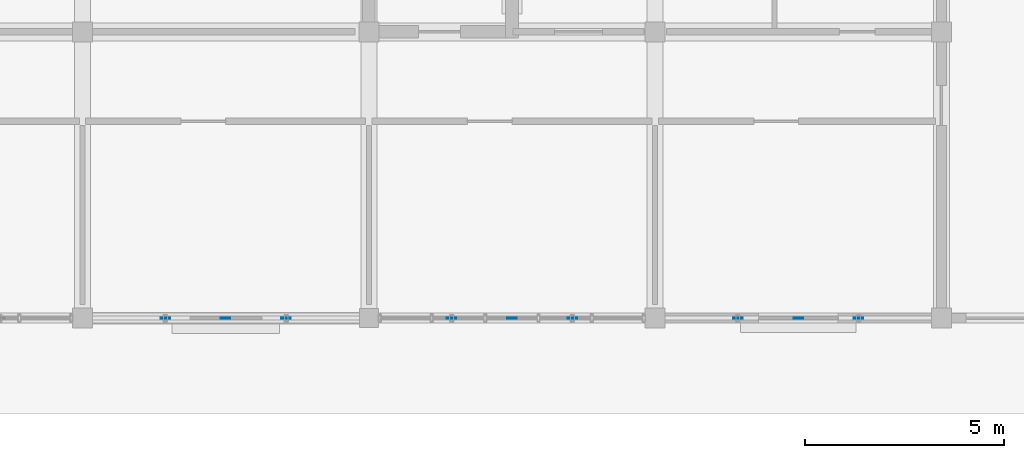
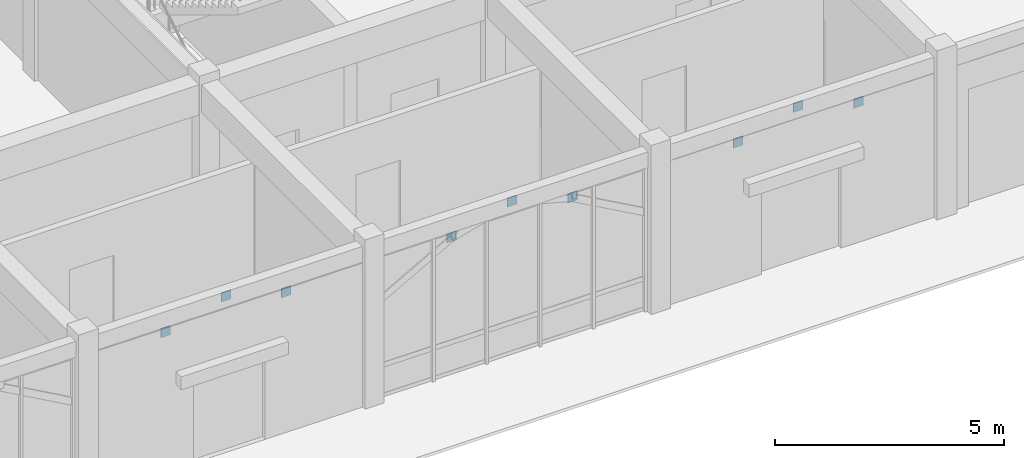
# One storey, part 72 of 138: 9 plates.
"""IFC4 building model written with IfcOpenShell, lengths in metres."""

import ifcopenshell
import ifcopenshell.guid

model = None  # the IFC model being written
_history = None  # IfcOwnerHistory: only IFC2X3 demands one
_inside = {}  # id of a spatial element -> (the spatial element, [elements in it])
_under = {}  # id of a project, library or spatial element -> (it, [spatial elements below it])
_declared = {}  # id of a project -> (the project, [libraries it declares])
_typed = {}  # id of a type object -> (the type object, [elements of that type])
_made_of = {}  # id of a material, layer set ... -> (it, [elements and type objects made of it])


def new_model(schema):
    """Start an empty IFC model of exactly this schema.

    Asked for "IFC4X3", IfcOpenShell would pick the latest addendum, in which some entities
    have other attributes; the version numbers below select the first issue.
    IFC2X3 requires an IfcOwnerHistory on every rooted entity: one is made here for all.
    """
    global model, _history
    if schema == "IFC4X3":
        model = ifcopenshell.file(schema_version=(4, 3, 0, 0))
    else:
        model = ifcopenshell.file(schema=schema)
    _inside.clear()
    _under.clear()
    _declared.clear()
    _typed.clear()
    _made_of.clear()
    _history = None
    if model.schema == "IFC2X3":
        org = make("IfcOrganization", Name="unknown")
        user = make(
            "IfcPersonAndOrganization",
            ThePerson=make("IfcPerson", FamilyName="unknown"),
            TheOrganization=org,
        )
        app = make(
            "IfcApplication",
            ApplicationDeveloper=org,
            Version="unknown",
            ApplicationFullName="unknown",
            ApplicationIdentifier="unknown",
        )
        _history = make(
            "IfcOwnerHistory",
            OwningUser=user,
            OwningApplication=app,
            ChangeAction="ADDED",
            CreationDate=0,
        )
    return model


def make(cls, **values):
    """One entity of the class cls with the attributes given. An attribute that is None is left unset."""
    return model.create_entity(
        cls, **{name: value for name, value in values.items() if value is not None}
    )


def rooted(cls, **values):
    """An entity with a GlobalId (a new one), such as an element, a storey or a relation."""
    return make(cls, GlobalId=ifcopenshell.guid.new(), OwnerHistory=_history, **values)


def si_unit(unit_type, name, prefix=None):
    """IfcSIUnit, for example si_unit("LENGTHUNIT", "METRE", prefix="MILLI")."""
    return make("IfcSIUnit", UnitType=unit_type, Prefix=prefix, Name=name)


def assignment(units):
    """IfcUnitAssignment: the units of a project."""
    return None if units is None else make("IfcUnitAssignment", Units=units)


def point(xyz):
    """IfcCartesianPoint."""
    return None if xyz is None else make("IfcCartesianPoint", Coordinates=xyz)


def direction(xyz):
    """IfcDirection."""
    return None if xyz is None else make("IfcDirection", DirectionRatios=xyz)


def frame(location, z_axis=None, x_axis=None):
    """IfcAxis2Placement3D, a coordinate frame: its origin and axes. An axis left out is left unset."""
    return make(
        "IfcAxis2Placement3D",
        Location=point(location),
        Axis=direction(z_axis),
        RefDirection=direction(x_axis),
    )


def frame_2d(location, x_axis=None):
    """IfcAxis2Placement2D, a coordinate frame in the plane: its origin and x axis."""
    return make(
        "IfcAxis2Placement2D", Location=point(location), RefDirection=direction(x_axis)
    )


def origin():
    """The frame at (0, 0, 0) with its axes left unset."""
    return frame((0.0, 0.0, 0.0))


def origin_2d():
    """The frame at (0, 0) in the plane with its x axis left unset."""
    return frame_2d((0.0, 0.0))


def place(relative_to, where):
    """IfcLocalPlacement: puts the frame where relative to a parent placement (None: the world)."""
    return make(
        "IfcLocalPlacement", PlacementRelTo=relative_to, RelativePlacement=where
    )


def context(
    kind, dimensions, precision=None, world=None, true_north=None, identifier=None
):
    """IfcGeometricRepresentationContext, for example the 3D "Model" context."""
    return make(
        "IfcGeometricRepresentationContext",
        ContextIdentifier=identifier,
        ContextType=kind,
        CoordinateSpaceDimension=dimensions,
        Precision=precision,
        WorldCoordinateSystem=world,
        TrueNorth=true_north,
    )


def subcontext(parent, identifier, kind, view, scale=None):
    """IfcGeometricRepresentationSubContext, for example "Body" below "Model"."""
    return make(
        "IfcGeometricRepresentationSubContext",
        ContextIdentifier=identifier,
        ContextType=kind,
        ParentContext=parent,
        TargetScale=scale,
        TargetView=view,
    )


def project(units=None, contexts=None):
    """IfcProject with its units and contexts."""
    return rooted(
        "IfcProject",
        Name="project",
        RepresentationContexts=contexts,
        UnitsInContext=assignment(units),
    )


def spatial(cls, under=None, at=None, **own):
    """A site, building, storey or space (cls), placed at a placement, below another one or the project."""
    s = rooted(cls, ObjectPlacement=at, **own)
    if under is not None:
        _under.setdefault(under.id(), (under, []))[1].append(s)
    return s


def profile(cls, at=None, kind="AREA", **sizes):
    """A parametric profile (cls). Its sizes go by their IFC names, for example OverallWidth=200.0."""
    return make(cls, ProfileType=kind, Position=at, **sizes)


def rectangle(**sizes):
    """IfcRectangleProfileDef."""
    return profile("IfcRectangleProfileDef", **sizes)


def extrude(swept, where, along, depth):
    """IfcExtrudedAreaSolid: the profile swept, set in the frame where, extruded along a direction by depth."""
    return make(
        "IfcExtrudedAreaSolid",
        SweptArea=swept,
        Position=where,
        ExtrudedDirection=direction(along),
        Depth=depth,
    )


def shape(context_of_items, identifier, shape_type, items):
    """IfcShapeRepresentation: the items that make up one representation, for example the "Body"."""
    return make(
        "IfcShapeRepresentation",
        ContextOfItems=context_of_items,
        RepresentationIdentifier=identifier,
        RepresentationType=shape_type,
        Items=items,
    )


def material(Name=None, Category=None):
    """IfcMaterial."""
    return make("IfcMaterial", Name=Name, Category=Category)


def layer(
    of_material, thickness, ventilated=None, Name=None, Category=None, Priority=None
):
    """IfcMaterialLayer: one layer of a wall or slab, of a material (None: an air gap)."""
    return make(
        "IfcMaterialLayer",
        Material=of_material,
        LayerThickness=thickness,
        IsVentilated=ventilated,
        Name=Name,
        Category=Category,
        Priority=Priority,
    )


def layer_set(layers, Name=None):
    """IfcMaterialLayerSet."""
    return make("IfcMaterialLayerSet", MaterialLayers=layers, LayerSetName=Name)


def made_of(thing, what):
    """Note that an element or type object is made of a material, layer set ...; save() writes the relation."""
    if what is not None:
        _made_of.setdefault(what.id(), (what, []))[1].append(thing)
    return thing


def type_object(cls, material=None, **own):
    """A type object (cls), such as IfcWallType, which elements share."""
    return made_of(rooted(cls, **own), material)


def element(
    cls,
    number,
    at=None,
    inside=None,
    cuts=None,
    type_object=None,
    material=None,
    context=None,
    identifier="Body",
    shape_type=None,
    held_by="IfcProductDefinitionShape",
    body=None,
    shapes=None,
    **own,
):
    """One element of the class cls, such as IfcWall. Its Tag is "e" and its number.

    at: its placement. inside: the storey or other place that contains it. cuts: it is an
    opening in that element (IfcRelVoidsElement). A single representation is given by context,
    identifier, shape_type and body (its items); several are given by shapes. held_by: the class
    of the entity that holds the representations. save() writes the other relations.
    """
    e = rooted(cls, Tag="e%d" % number, ObjectPlacement=at, **own)
    if body is not None:
        shapes = [shape(context, identifier, shape_type, body)]
    if shapes is not None:
        e.Representation = make(held_by, Representations=shapes)
    if inside is not None:
        _inside.setdefault(inside.id(), (inside, []))[1].append(e)
    if cuts is not None:
        rooted(
            "IfcRelVoidsElement", RelatingBuildingElement=cuts, RelatedOpeningElement=e
        )
    if type_object is not None:
        _typed.setdefault(type_object.id(), (type_object, []))[1].append(e)
    return made_of(e, material)


def aggregate(whole, parts):
    """IfcRelAggregates: a whole, such as a stair, and the parts it consists of."""
    return rooted("IfcRelAggregates", RelatingObject=whole, RelatedObjects=parts)


def save(model, path):
    """Write the relations noted so far, then the file.

    IfcRelAggregates (storeys below a building ...), IfcRelContainedInSpatialStructure (elements
    in a storey), IfcRelDefinesByType, IfcRelAssociatesMaterial and IfcRelDeclares: one each for
    every whole, place, type object, material and project.
    """
    for whole, parts in _under.values():
        aggregate(whole, parts)
    for where, things in _inside.values():
        rooted(
            "IfcRelContainedInSpatialStructure",
            RelatedElements=things,
            RelatingStructure=where,
        )
    for kind, things in _typed.values():
        rooted("IfcRelDefinesByType", RelatedObjects=things, RelatingType=kind)
    for what, things in _made_of.values():
        rooted("IfcRelAssociatesMaterial", RelatedObjects=things, RelatingMaterial=what)
    for by, libraries in _declared.values():
        rooted("IfcRelDeclares", RelatingContext=by, RelatedDefinitions=libraries)
    model.write(path)


model = new_model("IFC4")

# Units and contexts
model_context = context("Model", 3, precision=1e-05, world=origin(), true_north=direction((0.0, 1.0)))
body_context = subcontext(model_context, "Body", "Model", "MODEL_VIEW")
ifc_project = project(units=[si_unit("LENGTHUNIT", "METRE"), si_unit("AREAUNIT", "SQUARE_METRE"), si_unit("VOLUMEUNIT", "CUBIC_METRE"), si_unit("PLANEANGLEUNIT", "RADIAN"), si_unit("MASSUNIT", "GRAM", prefix="KILO"), si_unit("THERMODYNAMICTEMPERATUREUNIT", "KELVIN"), si_unit("POWERUNIT", "WATT")], contexts=[model_context])

# Site, building, storey
site_placement = place(None, origin())
site = spatial("IfcSite", under=ifc_project, at=site_placement, CompositionType="ELEMENT")
building_placement = place(site_placement, origin())
building = spatial("IfcBuilding", under=site, at=building_placement, Name="Tavuni Mirador Residences", CompositionType="ELEMENT")
storey_placement = place(building_placement, origin())
storey = spatial("IfcBuildingStorey", under=building, at=storey_placement, Name="L00", CompositionType="ELEMENT", Elevation=0.0)

# Plates
ifc_material = material(Name="Structural steel S355", Category="steel")
ifc_layer = layer(ifc_material, 0.01806640625, Name="Structural steel S355", Category="steel")
ifc_layer_set = layer_set([ifc_layer], Name="Structural steel S355")
plate_type = type_object("IfcPlateType", Name="PLT-GP05", PredefinedType="USERDEFINED", material=ifc_layer_set)
for number, where, z_axis, x_axis, name in (
    (1, (70.48193359375, 7.199951171875, 3.509765625), (0.0, 0.0, 1.0), (1.0, 0.0, 0.0), "ARCH-SHOP-S-03-GQ1"),
    (2, (72.0, 7.199951171875, 3.93017578125), (0.0, 0.0, 1.0), (1.0, 0.0, 0.0), "ARCH-SHOP-S-03-GCR"),
    (3, (73.51806640625, 7.199951171875, 3.509765625), (0.0, 0.0, 1.0), (1.0, 0.0, 0.0), "ARCH-SHOP-S-03-GQ2"),
    (4, (77.681884765625, 7.199951171875, 3.509765625), (0.0, 0.0, 1.0), (1.0, 0.0, 0.0), "ARCH-SHOP-S-04-GQ1"),
    (5, (79.199951171875, 7.199951171875, 3.93017578125), (0.0, 0.0, 1.0), (1.0, 0.0, 0.0), "ARCH-SHOP-S-04-GCR"),
    (6, (80.718017578125, 7.199951171875, 3.509765625), (0.0, 0.0, 1.0), (1.0, 0.0, 0.0), "ARCH-SHOP-S-04-GQ2"),
    (7, (84.882080078125, 7.199951171875, 3.509765625), (0.0, 0.0, 1.0), (1.0, 0.0, 0.0), "ARCH-SHOP-S-05-GQ1"),
    (8, (86.39990234375, 7.199951171875, 3.93017578125), (0.0, 0.0, 1.0), (1.0, 0.0, 0.0), "ARCH-SHOP-S-05-GCR"),
    (9, (87.91796875, 7.199951171875, 3.509765625), (0.0, 0.0, 1.0), (1.0, 0.0, 0.0), "ARCH-SHOP-S-05-GQ2"),
):
    element("IfcPlate", number, at=place(storey_placement, frame(where, z_axis=z_axis, x_axis=x_axis)), inside=storey, type_object=plate_type, Name=name, ObjectType="GUSSET PLATE", PredefinedType="USERDEFINED", context=body_context, shape_type="SweptSolid", body=[
        extrude(rectangle(XDim=0.239990234375, YDim=0.02001953125, at=origin_2d()), origin(), (0.0, 0.0, 1.0), 0.239990234375),
    ])

save(model, "model.ifc")
